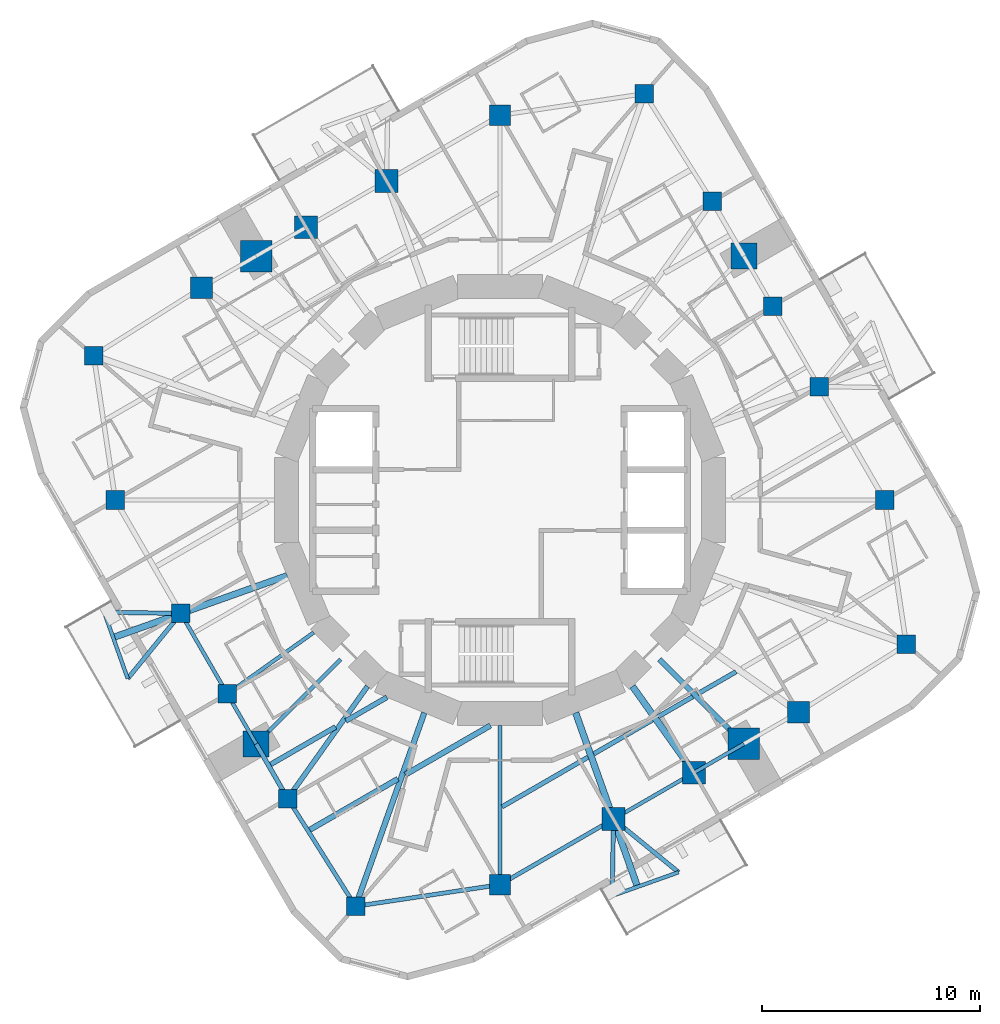
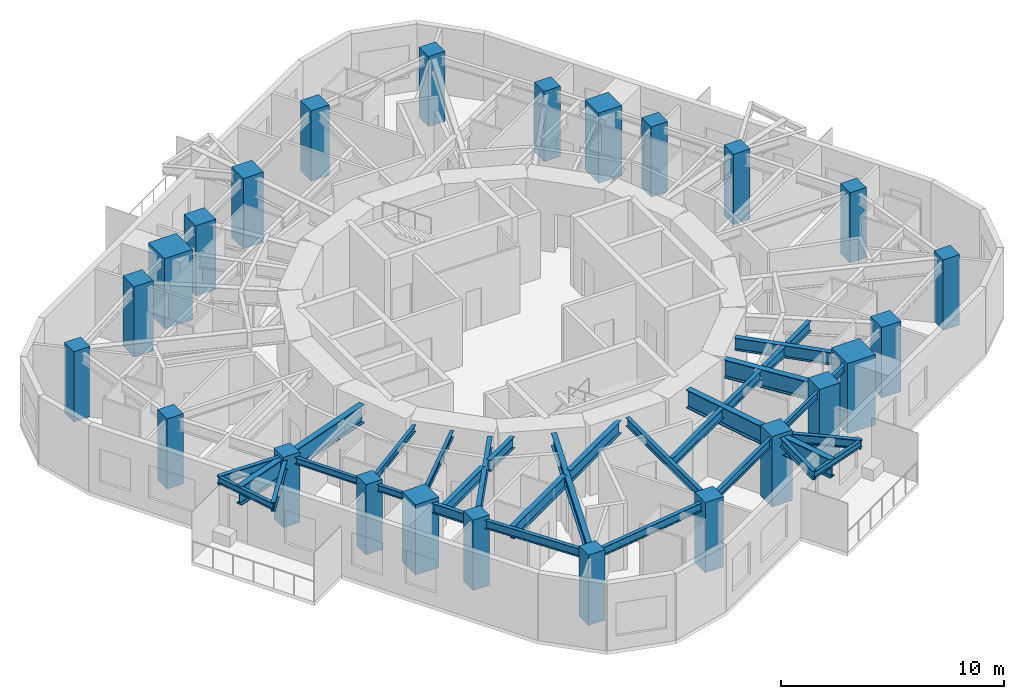
# One storey, part 1 of 11: 31 beams, 24 columns.
"""IFC4 building model written with IfcOpenShell, lengths in metres."""

from ifc_helpers import new_model, si_unit, direction, frame, origin, origin_2d, place, context, subcontext, project, spatial, rectangle, i_section, extrude, material, material_profile, profile_set, type_object, element, save


model = new_model("IFC4")

# Units and contexts
model_context = context("Model", 3, precision=1e-05, world=origin(), true_north=direction((0.0, 1.0)))
body_context = subcontext(model_context, "Body", "Model", "MODEL_VIEW")
ifc_project = project(units=[si_unit("LENGTHUNIT", "METRE"), si_unit("AREAUNIT", "SQUARE_METRE"), si_unit("VOLUMEUNIT", "CUBIC_METRE"), si_unit("PLANEANGLEUNIT", "RADIAN"), si_unit("MASSUNIT", "GRAM", prefix="KILO")], contexts=[model_context])

# Site, building, storey
site_placement = place(None, origin())
site = spatial("IfcSite", under=ifc_project, at=site_placement, CompositionType="ELEMENT")
building_placement = place(site_placement, origin())
building = spatial("IfcBuilding", under=site, at=building_placement, Name="Nakasero Lantern House", CompositionType="ELEMENT")
storey_placement = place(building_placement, frame((0.0, 0.0, 230.800048828125)))
storey = spatial("IfcBuildingStorey", under=building, at=storey_placement, Name="L56", CompositionType="ELEMENT", Elevation=230.800048828125)

# Columns
ifc_material_1 = material(Name="Concrete C45/55", Category="concrete")
ifc_material_profile_1 = material_profile(ifc_material_1, rectangle(XDim=1.199951171875, YDim=1.199951171875, at=origin_2d()), Name="RC 1200x1200")
ifc_profile_set_1 = profile_set([ifc_material_profile_1], Name="Concrete C45/55")
column_type_1 = type_object("IfcColumnType", Name="Mega column RC 1200x1200 C45/55", PredefinedType="COLUMN", material=ifc_profile_set_1)
for number, where, z_axis, x_axis, name in (
    (1, (11.200439453125, 11.200439453125, 0.0), (0.0, 0.0, 1.0), (1.0, 0.0, 0.0), "Column B6-C06 L56"),
    (2, (-11.200439453125, -11.200439453125, 0.0), (0.0, 0.0, 1.0), (1.0, 0.0, 0.0), "Column B6-C18 L56"),
):
    element("IfcColumn", number, at=place(storey_placement, frame(where, z_axis=z_axis, x_axis=x_axis)), inside=storey, type_object=column_type_1, Name=name, PredefinedType="COLUMN", context=body_context, shape_type="SweptSolid", body=[
        extrude(rectangle(XDim=1.199951171875, YDim=1.199951171875, at=origin_2d()), origin(), (0.0, 0.0, 1.0), 3.849853515625),
    ])
ifc_material_2 = material(Name="Concrete C45/55", Category="concrete")
ifc_material_profile_2 = material_profile(ifc_material_2, rectangle(XDim=1.449951171875, YDim=1.449951171875, at=origin_2d()), Name="RC 1450x1450")
ifc_profile_set_2 = profile_set([ifc_material_profile_2], Name="Concrete C45/55")
column_type_2 = type_object("IfcColumnType", Name="Mega column RC 1450x1450 C45/55", PredefinedType="COLUMN", material=ifc_profile_set_2)
for number, where, z_axis, x_axis, name in (
    (3, (-11.200439453125, 11.200439453125, 0.0), (0.0, 0.0, 1.0), (1.0, 0.0, 0.0), "Column B6-C12 L56"),
    (4, (11.200439453125, -11.200439453125, 0.0), (0.0, 0.0, 1.0), (1.0, 0.0, 0.0), "Column B6-C24 L56"),
):
    element("IfcColumn", number, at=place(storey_placement, frame(where, z_axis=z_axis, x_axis=x_axis)), inside=storey, type_object=column_type_2, Name=name, PredefinedType="COLUMN", context=body_context, shape_type="SweptSolid", body=[
        extrude(rectangle(XDim=1.449951171875, YDim=1.449951171875, at=origin_2d()), origin(), (0.0, 0.0, 1.0), 3.849853515625),
    ])
ifc_material_3 = material(Name="Concrete C45/55", Category="concrete")
ifc_material_profile_3 = material_profile(ifc_material_3, rectangle(XDim=1.0, YDim=1.0, at=origin_2d()), Name="RC 1000x1000")
ifc_profile_set_3 = profile_set([ifc_material_profile_3], Name="Concrete C45/55")
column_type_3 = type_object("IfcColumnType", Name="Ring column RC 1000x1000 C45/55", PredefinedType="COLUMN", material=ifc_profile_set_3)
for number, where, z_axis, x_axis, name in (
    (5, (13.711669921875, -9.75048828125, 0.0), (0.0, 0.0, 1.0), (1.0, 0.0, 0.0), "Column B6-C01 L56"),
    (6, (-13.711669921875, 9.75048828125, 0.0), (0.0, 0.0, 1.0), (1.0, 0.0, 0.0), "Column B6-C13 L56"),
):
    element("IfcColumn", number, at=place(storey_placement, frame(where, z_axis=z_axis, x_axis=x_axis)), inside=storey, type_object=column_type_3, Name=name, PredefinedType="COLUMN", context=body_context, shape_type="SweptSolid", body=[
        extrude(rectangle(XDim=1.0, YDim=1.0, at=origin_2d()), origin(), (0.0, 0.0, 1.0), 3.849853515625),
    ])
ifc_material_4 = material(Name="Concrete C45/55", Category="concrete")
ifc_material_profile_4 = material_profile(ifc_material_4, rectangle(XDim=1.050048828125, YDim=1.050048828125, at=origin_2d()), Name="RC 1050x1050")
ifc_profile_set_4 = profile_set([ifc_material_profile_4], Name="Concrete C45/55")
column_type_4 = type_object("IfcColumnType", Name="Ring column RC 1050x1050 C45/55", PredefinedType="COLUMN", material=ifc_profile_set_4)
for number, where, z_axis, x_axis, name in (
    (7, (-5.211669921875, 14.657958984375, 0.0), (0.0, 0.0, 1.0), (1.0, 0.0, 0.0), "Column B6-C10 L56"),
    (8, (-8.906494140625, 12.524658203125, 0.0), (0.0, 0.0, 1.0), (1.0, 0.0, 0.0), "Column B6-C11 L56"),
    (9, (5.211669921875, -14.657958984375, 0.0), (0.0, 0.0, 1.0), (1.0, 0.0, 0.0), "Column B6-C22 L56"),
    (10, (8.906494140625, -12.524658203125, 0.0), (0.0, 0.0, 1.0), (1.0, 0.0, 0.0), "Column B6-C23 L56"),
):
    element("IfcColumn", number, at=place(storey_placement, frame(where, z_axis=z_axis, x_axis=x_axis)), inside=storey, type_object=column_type_4, Name=name, PredefinedType="COLUMN", context=body_context, shape_type="SweptSolid", body=[
        extrude(rectangle(XDim=1.050048828125, YDim=1.050048828125, at=origin_2d()), origin(), (0.0, 0.0, 1.0), 3.849853515625),
    ])
ifc_material_5 = material(Name="Concrete C45/55", Category="concrete")
ifc_material_profile_5 = material_profile(ifc_material_5, rectangle(XDim=0.85009765625, YDim=0.85009765625, at=origin_2d()), Name="RC 850x850")
ifc_profile_set_5 = profile_set([ifc_material_profile_5], Name="Concrete C45/55")
column_type_5 = type_object("IfcColumnType", Name="Ring column RC 850x850 C45/55", PredefinedType="COLUMN", material=ifc_profile_set_5)
for number, where, z_axis, x_axis, name in (
    (11, (18.661376953125, -6.63525390625, 0.0), (0.0, 0.0, 1.0), (1.0, 0.0, 0.0), "Column B6-C02 L56"),
    (12, (17.6669921875, 0.0, 0.0), (0.0, 0.0, 1.0), (1.0, 0.0, 0.0), "Column B6-C03 L56"),
    (13, (14.657958984375, 5.211669921875, 0.0), (0.0, 0.0, 1.0), (1.0, 0.0, 0.0), "Column B6-C04 L56"),
    (14, (12.524658203125, 8.906494140625, 0.0), (0.0, 0.0, 1.0), (1.0, 0.0, 0.0), "Column B6-C05 L56"),
    (15, (9.75048828125, 13.711669921875, 0.0), (0.0, 0.0, 1.0), (1.0, 0.0, 0.0), "Column B6-C07 L56"),
    (16, (6.63525390625, 18.661376953125, 0.0), (0.0, 0.0, 1.0), (1.0, 0.0, 0.0), "Column B6-C08 L56"),
    (17, (-18.661376953125, 6.63525390625, 0.0), (0.0, 0.0, 1.0), (1.0, 0.0, 0.0), "Column B6-C14 L56"),
    (18, (-17.6669921875, 0.0, 0.0), (0.0, 0.0, 1.0), (1.0, 0.0, 0.0), "Column B6-C15 L56"),
    (19, (-14.657958984375, -5.211669921875, 0.0), (0.0, 0.0, 1.0), (1.0, 0.0, 0.0), "Column B6-C16 L56"),
    (20, (-12.524658203125, -8.906494140625, 0.0), (0.0, 0.0, 1.0), (1.0, 0.0, 0.0), "Column B6-C17 L56"),
    (21, (-9.75048828125, -13.711669921875, 0.0), (0.0, 0.0, 1.0), (1.0, 0.0, 0.0), "Column B6-C19 L56"),
    (22, (-6.63525390625, -18.661376953125, 0.0), (0.0, 0.0, 1.0), (1.0, 0.0, 0.0), "Column B6-C20 L56"),
):
    element("IfcColumn", number, at=place(storey_placement, frame(where, z_axis=z_axis, x_axis=x_axis)), inside=storey, type_object=column_type_5, Name=name, PredefinedType="COLUMN", context=body_context, shape_type="SweptSolid", body=[
        extrude(rectangle(XDim=0.85009765625, YDim=0.85009765625, at=origin_2d()), origin(), (0.0, 0.0, 1.0), 3.849853515625),
    ])
ifc_material_6 = material(Name="Concrete C45/55", Category="concrete")
ifc_material_profile_6 = material_profile(ifc_material_6, rectangle(XDim=0.949951171875, YDim=0.949951171875, at=origin_2d()), Name="RC 950x950")
ifc_profile_set_6 = profile_set([ifc_material_profile_6], Name="Concrete C45/55")
column_type_6 = type_object("IfcColumnType", Name="Ring column RC 950x950 C45/55", PredefinedType="COLUMN", material=ifc_profile_set_6)
for number, where, z_axis, x_axis, name in (
    (23, (0.0, 17.6669921875, 0.0), (0.0, 0.0, 1.0), (1.0, 0.0, 0.0), "Column B6-C09 L56"),
    (24, (0.0, -17.6669921875, 0.0), (0.0, 0.0, 1.0), (1.0, 0.0, 0.0), "Column B6-C21 L56"),
):
    element("IfcColumn", number, at=place(storey_placement, frame(where, z_axis=z_axis, x_axis=x_axis)), inside=storey, type_object=column_type_6, Name=name, PredefinedType="COLUMN", context=body_context, shape_type="SweptSolid", body=[
        extrude(rectangle(XDim=0.949951171875, YDim=0.949951171875, at=origin_2d()), origin(), (0.0, 0.0, 1.0), 3.849853515625),
    ])

# Beams
ifc_material_7 = material(Name="Steel S355", Category="steel")
ifc_material_profile_7 = material_profile(ifc_material_7, i_section(OverallWidth=0.199462890625, OverallDepth=0.491943359375, WebThickness=0.01806640625, FlangeThickness=0.031982421875, FilletRadius=0.01025390625, at=origin_2d()), Name="UB 457x191x161")
ifc_profile_set_7 = profile_set([ifc_material_profile_7], Name="Steel S355")
beam_type_1 = type_object("IfcBeamType", Name="Balcony splay beam UB 457x191x161", PredefinedType="BEAM", material=ifc_profile_set_7)
beam_1_placement = place(storey_placement, frame((-14.657958984375, -5.211669921875, 3.404052734375), z_axis=(-0.632127727159, -0.774864205236, 0.0), x_axis=(0.774864205236, -0.632127727159, 0.0)))
element("IfcBeam", 25, at=beam_1_placement, inside=storey, type_object=beam_type_1, Name="Balcony splay beam L57 B6-C16A", PredefinedType="BEAM", context=body_context, shape_type="SweptSolid", body=[
    extrude(i_section(OverallWidth=0.199462890625, OverallDepth=0.491943359375, WebThickness=0.01806640625, FlangeThickness=0.031982421875, FilletRadius=0.01025390625, at=origin_2d()), origin(), (0.0, 0.0, 1.0), 3.858642578125),
])
beam_2_placement = place(storey_placement, frame((-14.657958984375, -5.211669921875, 3.404052734375), z_axis=(-0.99985827803, 0.016835196893, 0.0), x_axis=(-0.016835196893, -0.99985827803, 0.0)))
element("IfcBeam", 26, at=beam_2_placement, inside=storey, type_object=beam_type_1, Name="Balcony splay beam L57 B6-C16B", PredefinedType="BEAM", context=body_context, shape_type="SweptSolid", body=[
    extrude(i_section(OverallWidth=0.199462890625, OverallDepth=0.491943359375, WebThickness=0.01806640625, FlangeThickness=0.031982421875, FilletRadius=0.01025390625, at=origin_2d()), origin(), (0.0, 0.0, 1.0), 3.52392578125),
])
beam_3_placement = place(storey_placement, frame((5.211669921875, -14.657958984375, 3.404052734375), z_axis=(0.774864205236, -0.632127727159, 0.0), x_axis=(0.632127727159, 0.774864205236, 0.0)))
element("IfcBeam", 27, at=beam_3_placement, inside=storey, type_object=beam_type_1, Name="Balcony splay beam L57 B6-C22A", PredefinedType="BEAM", context=body_context, shape_type="SweptSolid", body=[
    extrude(i_section(OverallWidth=0.199462890625, OverallDepth=0.491943359375, WebThickness=0.01806640625, FlangeThickness=0.031982421875, FilletRadius=0.01025390625, at=origin_2d()), origin(), (0.0, 0.0, 1.0), 3.858642578125),
])
beam_4_placement = place(storey_placement, frame((5.211669921875, -14.657958984375, 3.404052734375), z_axis=(-0.016835196893, -0.99985827803, 0.0), x_axis=(0.99985827803, -0.016835196893, 0.0)))
element("IfcBeam", 28, at=beam_4_placement, inside=storey, type_object=beam_type_1, Name="Balcony splay beam L57 B6-C22B", PredefinedType="BEAM", context=body_context, shape_type="SweptSolid", body=[
    extrude(i_section(OverallWidth=0.199462890625, OverallDepth=0.491943359375, WebThickness=0.01806640625, FlangeThickness=0.031982421875, FilletRadius=0.01025390625, at=origin_2d()), origin(), (0.0, 0.0, 1.0), 3.52392578125),
])
ifc_material_8 = material(Name="Steel S355", Category="steel")
ifc_material_profile_8 = material_profile(ifc_material_8, i_section(OverallWidth=0.17138671875, OverallDepth=0.35498046875, WebThickness=0.00732421875, FlangeThickness=0.011474609375, FilletRadius=0.01025390625, at=origin_2d()), Name="UB 356x171x51")
ifc_profile_set_8 = profile_set([ifc_material_profile_8], Name="Steel S355")
beam_type_2 = type_object("IfcBeamType", Name="Balcony tie beam UB 356x171x51", PredefinedType="BEAM", material=ifc_profile_set_8)
for number, where, z_axis, x_axis, name in (
    (29, (-17.09716796875, -8.20166015625, 3.472412109375), (-0.335017108852, 0.942212044487, 0.0), (-0.942212044487, -0.335017108852, 0.0), "Balcony tie beam L57 B6-C16"),
    (30, (8.20166015625, -17.09716796875, 3.472412109375), (-0.942212044487, -0.335017108852, 0.0), (0.335017108852, -0.942212044487, 0.0), "Balcony tie beam L57 B6-C22"),
):
    element("IfcBeam", number, at=place(storey_placement, frame(where, z_axis=z_axis, x_axis=x_axis)), inside=storey, type_object=beam_type_2, Name=name, PredefinedType="BEAM", context=body_context, shape_type="SweptSolid", body=[
        extrude(i_section(OverallWidth=0.17138671875, OverallDepth=0.35498046875, WebThickness=0.00732421875, FlangeThickness=0.011474609375, FilletRadius=0.01025390625, at=origin_2d()), origin(), (0.0, 0.0, 1.0), 3.236328125),
    ])
ifc_material_9 = material(Name="Steel S355", Category="steel")
ifc_material_profile_9 = material_profile(ifc_material_9, i_section(OverallWidth=0.2099609375, OverallDepth=0.53662109375, WebThickness=0.0107421875, FlangeThickness=0.017333984375, FilletRadius=0.0126953125, at=origin_2d()), Name="UB 533x210x101")
ifc_profile_set_9 = profile_set([ifc_material_profile_9], Name="Steel S355")
beam_type_3 = type_object("IfcBeamType", Name="Infill beam UB 533x210x101", PredefinedType="JOIST", material=ifc_profile_set_9)
beam_5_placement = place(storey_placement, frame((0.095703125, -14.08984375, 3.381591796875), z_axis=(0.866027576455, 0.499996236806, 0.0), x_axis=(-0.499996236806, 0.866027576455, 0.0)))
element("IfcBeam", 31, at=beam_5_placement, inside=storey, type_object=beam_type_3, Name="Infill beam L57 03.1", PredefinedType="JOIST", context=body_context, shape_type="SweptSolid", body=[
    extrude(i_section(OverallWidth=0.2099609375, OverallDepth=0.53662109375, WebThickness=0.0107421875, FlangeThickness=0.017333984375, FilletRadius=0.0126953125, at=origin_2d()), origin(), (0.0, 0.0, 1.0), 4.55419921875),
])
beam_6_placement = place(storey_placement, frame((4.3056640625, -11.6591796875, 3.381591796875), z_axis=(0.866018346476, 0.500012223418, 0.0), x_axis=(-0.500012223418, 0.866018346476, 0.0)))
element("IfcBeam", 32, at=beam_6_placement, inside=storey, type_object=beam_type_3, Name="Infill beam L57 03.2", PredefinedType="JOIST", context=body_context, shape_type="SweptSolid", body=[
    extrude(i_section(OverallWidth=0.2099609375, OverallDepth=0.53662109375, WebThickness=0.0107421875, FlangeThickness=0.017333984375, FilletRadius=0.0126953125, at=origin_2d()), origin(), (0.0, 0.0, 1.0), 3.11181640625),
])
beam_7_placement = place(storey_placement, frame((7.261474609375, -9.95263671875, 3.381591796875), z_axis=(0.866028611999, 0.499994443168, 0.0), x_axis=(-0.499994443168, 0.866028611999, 0.0)))
element("IfcBeam", 33, at=beam_7_placement, inside=storey, type_object=beam_type_3, Name="Infill beam L57 03.3", PredefinedType="JOIST", context=body_context, shape_type="SweptSolid", body=[
    extrude(i_section(OverallWidth=0.2099609375, OverallDepth=0.53662109375, WebThickness=0.0107421875, FlangeThickness=0.017333984375, FilletRadius=0.0126953125, at=origin_2d()), origin(), (0.0, 0.0, 1.0), 1.8388671875),
])
beam_8_placement = place(storey_placement, frame((9.081298828125, -8.90185546875, 3.381591796875), z_axis=(0.866073420066, 0.499916824138, 0.0), x_axis=(-0.499916824138, 0.866073420066, 0.0)))
element("IfcBeam", 34, at=beam_8_placement, inside=storey, type_object=beam_type_3, Name="Infill beam L57 03.4", PredefinedType="JOIST", context=body_context, shape_type="SweptSolid", body=[
    extrude(i_section(OverallWidth=0.2099609375, OverallDepth=0.53662109375, WebThickness=0.0107421875, FlangeThickness=0.017333984375, FilletRadius=0.0126953125, at=origin_2d()), origin(), (0.0, 0.0, 1.0), 2.029541015625),
])
ifc_material_10 = material(Name="Steel S355", Category="steel")
ifc_material_profile_10 = material_profile(ifc_material_10, i_section(OverallWidth=0.22900390625, OverallDepth=0.6123046875, WebThickness=0.011962890625, FlangeThickness=0.01953125, FilletRadius=0.0126953125, at=origin_2d()), Name="UB 610x229x125")
ifc_profile_set_10 = profile_set([ifc_material_profile_10], Name="Steel S355")
beam_type_4 = type_object("IfcBeamType", Name="Infill beam UB 610x229x125", PredefinedType="JOIST", material=ifc_profile_set_10)
beam_9_placement = place(storey_placement, frame((-10.5341796875, -12.14404296875, 3.34375), z_axis=(0.866035643331, 0.499982264165, 0.0), x_axis=(-0.499982264165, 0.866035643331, 0.0)))
element("IfcBeam", 35, at=beam_9_placement, inside=storey, type_object=beam_type_4, Name="Infill beam L57 05.1", PredefinedType="JOIST", context=body_context, shape_type="SweptSolid", body=[
    extrude(i_section(OverallWidth=0.22900390625, OverallDepth=0.6123046875, WebThickness=0.011962890625, FlangeThickness=0.01953125, FilletRadius=0.0126953125, at=origin_2d()), origin(), (0.0, 0.0, 1.0), 3.443603515625),
])
beam_10_placement = place(storey_placement, frame((-7.0751953125, -10.14697265625, 3.34375), z_axis=(0.866043427695, 0.499968780372, 0.0), x_axis=(-0.499968780372, 0.866043427695, 0.0)))
element("IfcBeam", 36, at=beam_10_placement, inside=storey, type_object=beam_type_4, Name="Infill beam L57 05.2", PredefinedType="JOIST", context=body_context, shape_type="SweptSolid", body=[
    extrude(i_section(OverallWidth=0.22900390625, OverallDepth=0.6123046875, WebThickness=0.011962890625, FlangeThickness=0.01953125, FilletRadius=0.0126953125, at=origin_2d()), origin(), (0.0, 0.0, 1.0), 2.173583984375),
])
ifc_material_11 = material(Name="Steel S355", Category="steel")
ifc_material_profile_11 = material_profile(ifc_material_11, i_section(OverallWidth=0.253662109375, OverallDepth=0.68359375, WebThickness=0.012451171875, FlangeThickness=0.01904296875, FilletRadius=0.01513671875, at=origin_2d()), Name="UB 686x254x140")
ifc_profile_set_11 = profile_set([ifc_material_profile_11], Name="Steel S355")
beam_type_5 = type_object("IfcBeamType", Name="Infill beam UB 686x254x140", PredefinedType="JOIST", material=ifc_profile_set_11)
beam_11_placement = place(storey_placement, frame((-8.735107421875, -15.146728515625, 3.30810546875), z_axis=(0.866030607649, 0.499990986534, 0.0), x_axis=(-0.499990986534, 0.866030607649, 0.0)))
element("IfcBeam", 37, at=beam_11_placement, inside=storey, type_object=beam_type_5, Name="Infill beam L57 04.1", PredefinedType="JOIST", context=body_context, shape_type="SweptSolid", body=[
    extrude(i_section(OverallWidth=0.253662109375, OverallDepth=0.68359375, WebThickness=0.012451171875, FlangeThickness=0.01904296875, FilletRadius=0.01513671875, at=origin_2d()), origin(), (0.0, 0.0, 1.0), 4.66943359375),
])
beam_12_placement = place(storey_placement, frame((-4.349609375, -12.61474609375, 3.30810546875), z_axis=(0.86603787505, 0.499978398512, 0.0), x_axis=(-0.499978398512, 0.86603787505, 0.0)))
element("IfcBeam", 38, at=beam_12_placement, inside=storey, type_object=beam_type_5, Name="Infill beam L57 04.2", PredefinedType="JOIST", context=body_context, shape_type="SweptSolid", body=[
    extrude(i_section(OverallWidth=0.253662109375, OverallDepth=0.68359375, WebThickness=0.012451171875, FlangeThickness=0.01904296875, FilletRadius=0.01513671875, at=origin_2d()), origin(), (0.0, 0.0, 1.0), 4.513916015625),
])
ifc_material_12 = material(Name="Steel S355", Category="steel")
ifc_material_profile_12 = material_profile(ifc_material_12, i_section(OverallWidth=0.300048828125, OverallDepth=1.0, WebThickness=0.01904296875, FlangeThickness=0.035888671875, FilletRadius=0.030029296875, at=origin_2d()), Name="UB 1016x305x314")
ifc_profile_set_12 = profile_set([ifc_material_profile_12], Name="Steel S355")
beam_type_6 = type_object("IfcBeamType", Name="Primary beam UB 1016x305x314, span to 6 m", PredefinedType="BEAM", material=ifc_profile_set_12)
beam_13_placement = place(storey_placement, frame((8.906494140625, -12.524658203125, 3.14990234375), z_axis=(-0.579513415446, 0.814962699342, 0.0), x_axis=(-0.814962699342, -0.579513415446, 0.0)))
element("IfcBeam", 39, at=beam_13_placement, inside=storey, type_object=beam_type_6, Name="Primary beam L57 B6-C23", PredefinedType="BEAM", context=body_context, shape_type="SweptSolid", body=[
    extrude(i_section(OverallWidth=0.300048828125, OverallDepth=1.0, WebThickness=0.01904296875, FlangeThickness=0.035888671875, FilletRadius=0.030029296875, at=origin_2d()), origin(), (0.0, 0.0, 1.0), 4.8642578125),
])
ifc_material_13 = material(Name="Steel S355", Category="steel")
ifc_material_profile_13 = material_profile(ifc_material_13, i_section(OverallWidth=0.302001953125, OverallDepth=1.008056640625, WebThickness=0.02099609375, FlangeThickness=0.0400390625, FilletRadius=0.030029296875, at=origin_2d()), Name="UB 1016x305x349")
ifc_profile_set_13 = profile_set([ifc_material_profile_13], Name="Steel S355")
beam_type_7 = type_object("IfcBeamType", Name="Primary beam UB 1016x305x349, span to 6 m", PredefinedType="BEAM", material=ifc_profile_set_13)
for number, where, z_axis, x_axis, name in (
    (40, (-17.767333984375, -6.317138671875, 3.14599609375), (0.94222457875, 0.33498185503, 0.0), (-0.33498185503, 0.94222457875, 0.0), "Primary beam L57 B6-C16"),
    (41, (6.317138671875, -17.767333984375, 3.14599609375), (-0.33498185503, 0.94222457875, 0.0), (-0.94222457875, -0.33498185503, 0.0), "Primary beam L57 B6-C22"),
):
    element("IfcBeam", number, at=place(storey_placement, frame(where, z_axis=z_axis, x_axis=x_axis)), inside=storey, type_object=beam_type_7, Name=name, PredefinedType="BEAM", context=body_context, shape_type="SweptSolid", body=[
        extrude(i_section(OverallWidth=0.302001953125, OverallDepth=1.008056640625, WebThickness=0.02099609375, FlangeThickness=0.0400390625, FilletRadius=0.030029296875, at=origin_2d()), origin(), (0.0, 0.0, 1.0), 8.485595703125),
    ])
ifc_material_14 = material(Name="Steel S355", Category="steel")
ifc_material_profile_14 = material_profile(ifc_material_14, i_section(OverallWidth=0.17138671875, OverallDepth=0.35498046875, WebThickness=0.00732421875, FlangeThickness=0.011474609375, FilletRadius=0.01025390625, at=origin_2d()), Name="UB 356x171x51")
ifc_profile_set_14 = profile_set([ifc_material_profile_14], Name="Steel S355")
beam_type_8 = type_object("IfcBeamType", Name="Primary beam UB 356x171x51, span to 6 m", PredefinedType="BEAM", material=ifc_profile_set_14)
beam_14_placement = place(storey_placement, frame((-12.524658203125, -8.906494140625, 3.472412109375), z_axis=(0.814962699342, 0.579513415446, 0.0), x_axis=(-0.579513415446, 0.814962699342, 0.0)))
element("IfcBeam", 42, at=beam_14_placement, inside=storey, type_object=beam_type_8, Name="Primary beam L57 B6-C17", PredefinedType="BEAM", context=body_context, shape_type="SweptSolid", body=[
    extrude(i_section(OverallWidth=0.17138671875, OverallDepth=0.35498046875, WebThickness=0.00732421875, FlangeThickness=0.011474609375, FilletRadius=0.01025390625, at=origin_2d()), origin(), (0.0, 0.0, 1.0), 4.8642578125),
])
beam_15_placement = place(storey_placement, frame((-11.200439453125, -11.200439453125, 3.472412109375), z_axis=(0.707106781187, 0.707106781187, 0.0), x_axis=(-0.707106781187, 0.707106781187, 0.0)))
element("IfcBeam", 43, at=beam_15_placement, inside=storey, type_object=beam_type_8, Name="Primary beam L57 B6-C18", PredefinedType="BEAM", context=body_context, shape_type="SweptSolid", body=[
    extrude(i_section(OverallWidth=0.17138671875, OverallDepth=0.35498046875, WebThickness=0.00732421875, FlangeThickness=0.011474609375, FilletRadius=0.01025390625, at=origin_2d()), origin(), (0.0, 0.0, 1.0), 5.481689453125),
])
ifc_material_15 = material(Name="Steel S355", Category="steel")
ifc_material_profile_15 = material_profile(ifc_material_15, i_section(OverallWidth=0.19140625, OverallDepth=0.4599609375, WebThickness=0.010009765625, FlangeThickness=0.01611328125, FilletRadius=0.01025390625, at=origin_2d()), Name="UB 457x191x82")
ifc_profile_set_15 = profile_set([ifc_material_profile_15], Name="Steel S355")
beam_type_9 = type_object("IfcBeamType", Name="Primary beam UB 457x191x82, span 6 to 9 m", PredefinedType="BEAM", material=ifc_profile_set_15)
beam_16_placement = place(storey_placement, frame((0.0, -17.6669921875, 3.419921875), z_axis=(0.0, 1.0, 0.0), x_axis=(-1.0, 0.0, 0.0)))
element("IfcBeam", 44, at=beam_16_placement, inside=storey, type_object=beam_type_9, Name="Primary beam L57 B6-C21", PredefinedType="BEAM", context=body_context, shape_type="SweptSolid", body=[
    extrude(i_section(OverallWidth=0.19140625, OverallDepth=0.4599609375, WebThickness=0.010009765625, FlangeThickness=0.01611328125, FilletRadius=0.01025390625, at=origin_2d()), origin(), (0.0, 0.0, 1.0), 7.30908203125),
])
ifc_material_16 = material(Name="Steel S355", Category="steel")
ifc_material_profile_16 = material_profile(ifc_material_16, i_section(OverallWidth=0.22900390625, OverallDepth=0.6123046875, WebThickness=0.011962890625, FlangeThickness=0.01953125, FilletRadius=0.0126953125, at=origin_2d()), Name="UB 610x229x125")
ifc_profile_set_16 = profile_set([ifc_material_profile_16], Name="Steel S355")
beam_type_10 = type_object("IfcBeamType", Name="Primary beam UB 610x229x125, span 6 to 9 m", PredefinedType="BEAM", material=ifc_profile_set_16)
beam_17_placement = place(storey_placement, frame((-9.75048828125, -13.711669921875, 3.34375), z_axis=(0.579504973637, 0.814968702178, 0.0), x_axis=(-0.814968702178, 0.579504973637, 0.0)))
element("IfcBeam", 45, at=beam_17_placement, inside=storey, type_object=beam_type_10, Name="Primary beam L57 B6-C19", PredefinedType="BEAM", context=body_context, shape_type="SweptSolid", body=[
    extrude(i_section(OverallWidth=0.22900390625, OverallDepth=0.6123046875, WebThickness=0.011962890625, FlangeThickness=0.01953125, FilletRadius=0.0126953125, at=origin_2d()), origin(), (0.0, 0.0, 1.0), 6.320556640625),
])
ifc_material_17 = material(Name="Steel S355", Category="steel")
ifc_material_profile_17 = material_profile(ifc_material_17, i_section(OverallWidth=0.253662109375, OverallDepth=0.68359375, WebThickness=0.012451171875, FlangeThickness=0.01904296875, FilletRadius=0.01513671875, at=origin_2d()), Name="UB 686x254x140")
ifc_profile_set_17 = profile_set([ifc_material_profile_17], Name="Steel S355")
beam_type_11 = type_object("IfcBeamType", Name="Primary beam UB 686x254x140, span to 6 m", PredefinedType="BEAM", material=ifc_profile_set_17)
beam_18_placement = place(storey_placement, frame((11.200439453125, -11.200439453125, 3.30810546875), z_axis=(-0.707106781187, 0.707106781187, 0.0), x_axis=(-0.707106781187, -0.707106781187, 0.0)))
element("IfcBeam", 46, at=beam_18_placement, inside=storey, type_object=beam_type_11, Name="Primary beam L57 B6-C24", PredefinedType="BEAM", context=body_context, shape_type="SweptSolid", body=[
    extrude(i_section(OverallWidth=0.253662109375, OverallDepth=0.68359375, WebThickness=0.012451171875, FlangeThickness=0.01904296875, FilletRadius=0.01513671875, at=origin_2d()), origin(), (0.0, 0.0, 1.0), 5.481689453125),
])
ifc_material_18 = material(Name="Steel S355", Category="steel")
ifc_material_profile_18 = material_profile(ifc_material_18, i_section(OverallWidth=0.255859375, OverallDepth=0.69287109375, WebThickness=0.014404296875, FlangeThickness=0.023681640625, FilletRadius=0.01513671875, at=origin_2d()), Name="UB 686x254x170")
ifc_profile_set_18 = profile_set([ifc_material_profile_18], Name="Steel S355")
beam_type_12 = type_object("IfcBeamType", Name="Primary beam UB 686x254x170, span 9 to 12 m", PredefinedType="BEAM", material=ifc_profile_set_18)
beam_19_placement = place(storey_placement, frame((-6.63525390625, -18.661376953125, 3.303466796875), z_axis=(0.335006604588, 0.942215779364, 0.0), x_axis=(-0.942215779364, 0.335006604588, 0.0)))
element("IfcBeam", 47, at=beam_19_placement, inside=storey, type_object=beam_type_12, Name="Primary beam L57 B6-C20", PredefinedType="BEAM", context=body_context, shape_type="SweptSolid", body=[
    extrude(i_section(OverallWidth=0.255859375, OverallDepth=0.69287109375, WebThickness=0.014404296875, FlangeThickness=0.023681640625, FilletRadius=0.01513671875, at=origin_2d()), origin(), (0.0, 0.0, 1.0), 9.4345703125),
])
ifc_material_19 = material(Name="Steel S355", Category="steel")
ifc_material_profile_19 = material_profile(ifc_material_19, i_section(OverallWidth=0.17138671875, OverallDepth=0.35498046875, WebThickness=0.00732421875, FlangeThickness=0.011474609375, FilletRadius=0.01025390625, at=origin_2d()), Name="UB 356x171x51")
ifc_profile_set_19 = profile_set([ifc_material_profile_19], Name="Steel S355")
beam_type_13 = type_object("IfcBeamType", Name="Ring beam UB 356x171x51", PredefinedType="BEAM", material=ifc_profile_set_19)
beam_20_placement = place(storey_placement, frame((-14.657958984375, -5.211669921875, 3.472412109375), z_axis=(0.500016352561, -0.866015962423, 0.0), x_axis=(0.866015962423, 0.500016352561, 0.0)))
element("IfcBeam", 48, at=beam_20_placement, inside=storey, type_object=beam_type_13, Name="Ring beam L57 B6-C16", PredefinedType="BEAM", context=body_context, shape_type="SweptSolid", body=[
    extrude(i_section(OverallWidth=0.17138671875, OverallDepth=0.35498046875, WebThickness=0.00732421875, FlangeThickness=0.011474609375, FilletRadius=0.01025390625, at=origin_2d()), origin(), (0.0, 0.0, 1.0), 4.266357421875),
])
beam_21_placement = place(storey_placement, frame((-12.524658203125, -8.906494140625, 3.472412109375), z_axis=(0.499945861543, -0.866056658381, 0.0), x_axis=(0.866056658381, 0.499945861543, 0.0)))
element("IfcBeam", 49, at=beam_21_placement, inside=storey, type_object=beam_type_13, Name="Ring beam L57 B6-C17", PredefinedType="BEAM", context=body_context, shape_type="SweptSolid", body=[
    extrude(i_section(OverallWidth=0.17138671875, OverallDepth=0.35498046875, WebThickness=0.00732421875, FlangeThickness=0.011474609375, FilletRadius=0.01025390625, at=origin_2d()), origin(), (0.0, 0.0, 1.0), 2.648681640625),
])
beam_22_placement = place(storey_placement, frame((5.211669921875, -14.657958984375, 3.472412109375), z_axis=(0.866015962423, 0.500016352561, 0.0), x_axis=(-0.500016352561, 0.866015962423, 0.0)))
element("IfcBeam", 50, at=beam_22_placement, inside=storey, type_object=beam_type_13, Name="Ring beam L57 B6-C22", PredefinedType="BEAM", context=body_context, shape_type="SweptSolid", body=[
    extrude(i_section(OverallWidth=0.17138671875, OverallDepth=0.35498046875, WebThickness=0.00732421875, FlangeThickness=0.011474609375, FilletRadius=0.01025390625, at=origin_2d()), origin(), (0.0, 0.0, 1.0), 4.266357421875),
])
beam_23_placement = place(storey_placement, frame((8.906494140625, -12.524658203125, 3.472412109375), z_axis=(0.866056658381, 0.499945861543, 0.0), x_axis=(-0.499945861543, 0.866056658381, 0.0)))
element("IfcBeam", 51, at=beam_23_placement, inside=storey, type_object=beam_type_13, Name="Ring beam L57 B6-C23", PredefinedType="BEAM", context=body_context, shape_type="SweptSolid", body=[
    extrude(i_section(OverallWidth=0.17138671875, OverallDepth=0.35498046875, WebThickness=0.00732421875, FlangeThickness=0.011474609375, FilletRadius=0.01025390625, at=origin_2d()), origin(), (0.0, 0.0, 1.0), 2.648681640625),
])
ifc_material_20 = material(Name="Steel S355", Category="steel")
ifc_material_profile_20 = material_profile(ifc_material_20, i_section(OverallWidth=0.18994140625, OverallDepth=0.453369140625, WebThickness=0.008544921875, FlangeThickness=0.0126953125, FilletRadius=0.01025390625, at=origin_2d()), Name="UB 457x191x67")
ifc_profile_set_20 = profile_set([ifc_material_profile_20], Name="Steel S355")
beam_type_14 = type_object("IfcBeamType", Name="Ring beam UB 457x191x67", PredefinedType="BEAM", material=ifc_profile_set_20)
beam_24_placement = place(storey_placement, frame((-9.75048828125, -13.711669921875, 3.42333984375), z_axis=(0.532660471024, -0.846329027393, 0.0), x_axis=(0.846329027393, 0.532660471024, 0.0)))
element("IfcBeam", 52, at=beam_24_placement, inside=storey, type_object=beam_type_14, Name="Ring beam L57 B6-C19", PredefinedType="BEAM", context=body_context, shape_type="SweptSolid", body=[
    extrude(i_section(OverallWidth=0.18994140625, OverallDepth=0.453369140625, WebThickness=0.008544921875, FlangeThickness=0.0126953125, FilletRadius=0.01025390625, at=origin_2d()), origin(), (0.0, 0.0, 1.0), 5.848388671875),
])
beam_25_placement = place(storey_placement, frame((0.0, -17.6669921875, 3.42333984375), z_axis=(0.866020066889, 0.50000924366, 0.0), x_axis=(-0.50000924366, 0.866020066889, 0.0)))
element("IfcBeam", 53, at=beam_25_placement, inside=storey, type_object=beam_type_14, Name="Ring beam L57 B6-C21", PredefinedType="BEAM", context=body_context, shape_type="SweptSolid", body=[
    extrude(i_section(OverallWidth=0.18994140625, OverallDepth=0.453369140625, WebThickness=0.008544921875, FlangeThickness=0.0126953125, FilletRadius=0.01025390625, at=origin_2d()), origin(), (0.0, 0.0, 1.0), 6.01806640625),
])
ifc_material_21 = material(Name="Steel S355", Category="steel")
ifc_material_profile_21 = material_profile(ifc_material_21, i_section(OverallWidth=0.19140625, OverallDepth=0.4599609375, WebThickness=0.010009765625, FlangeThickness=0.01611328125, FilletRadius=0.01025390625, at=origin_2d()), Name="UB 457x191x82")
ifc_profile_set_21 = profile_set([ifc_material_profile_21], Name="Steel S355")
beam_type_15 = type_object("IfcBeamType", Name="Ring beam UB 457x191x82", PredefinedType="BEAM", material=ifc_profile_set_21)
beam_26_placement = place(storey_placement, frame((-6.63525390625, -18.661376953125, 3.419921875), z_axis=(0.988956095107, 0.148208778253, 0.0), x_axis=(-0.148208778253, 0.988956095107, 0.0)))
element("IfcBeam", 54, at=beam_26_placement, inside=storey, type_object=beam_type_15, Name="Ring beam L57 B6-C20", PredefinedType="BEAM", context=body_context, shape_type="SweptSolid", body=[
    extrude(i_section(OverallWidth=0.19140625, OverallDepth=0.4599609375, WebThickness=0.010009765625, FlangeThickness=0.01611328125, FilletRadius=0.01025390625, at=origin_2d()), origin(), (0.0, 0.0, 1.0), 6.70947265625),
])
ifc_material_22 = material(Name="Steel S355", Category="steel")
ifc_material_profile_22 = material_profile(ifc_material_22, i_section(OverallWidth=0.2099609375, OverallDepth=0.53662109375, WebThickness=0.0107421875, FlangeThickness=0.017333984375, FilletRadius=0.0126953125, at=origin_2d()), Name="UB 533x210x101")
ifc_profile_set_22 = profile_set([ifc_material_profile_22], Name="Steel S355")
beam_type_16 = type_object("IfcBeamType", Name="Ring beam UB 533x210x101", PredefinedType="BEAM", material=ifc_profile_set_22)
beam_27_placement = place(storey_placement, frame((-11.200439453125, -11.200439453125, 3.381591796875), z_axis=(0.500023687443, -0.866011727401, 0.0), x_axis=(0.866011727401, 0.500023687443, 0.0)))
element("IfcBeam", 55, at=beam_27_placement, inside=storey, type_object=beam_type_16, Name="Ring beam L57 B6-C18", PredefinedType="BEAM", context=body_context, shape_type="SweptSolid", body=[
    extrude(i_section(OverallWidth=0.2099609375, OverallDepth=0.53662109375, WebThickness=0.0107421875, FlangeThickness=0.017333984375, FilletRadius=0.0126953125, at=origin_2d()), origin(), (0.0, 0.0, 1.0), 2.899658203125),
])

save(model, "model.ifc")
